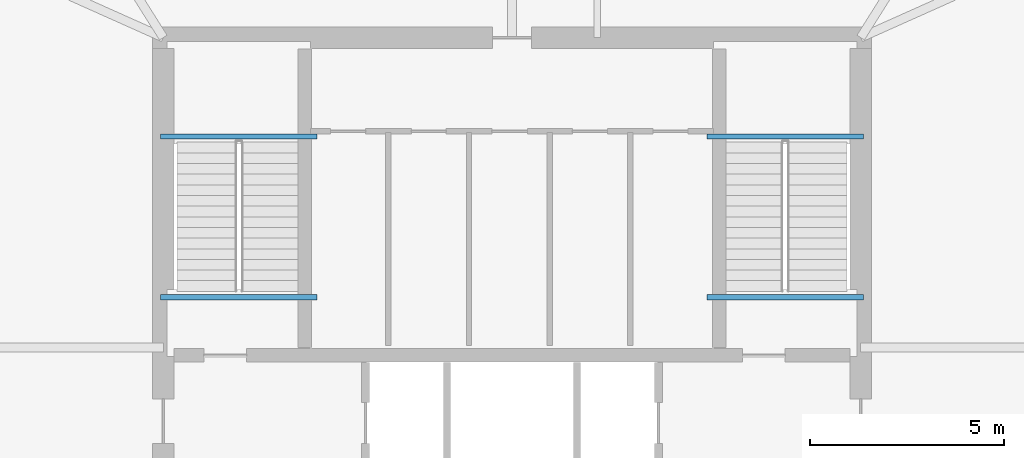
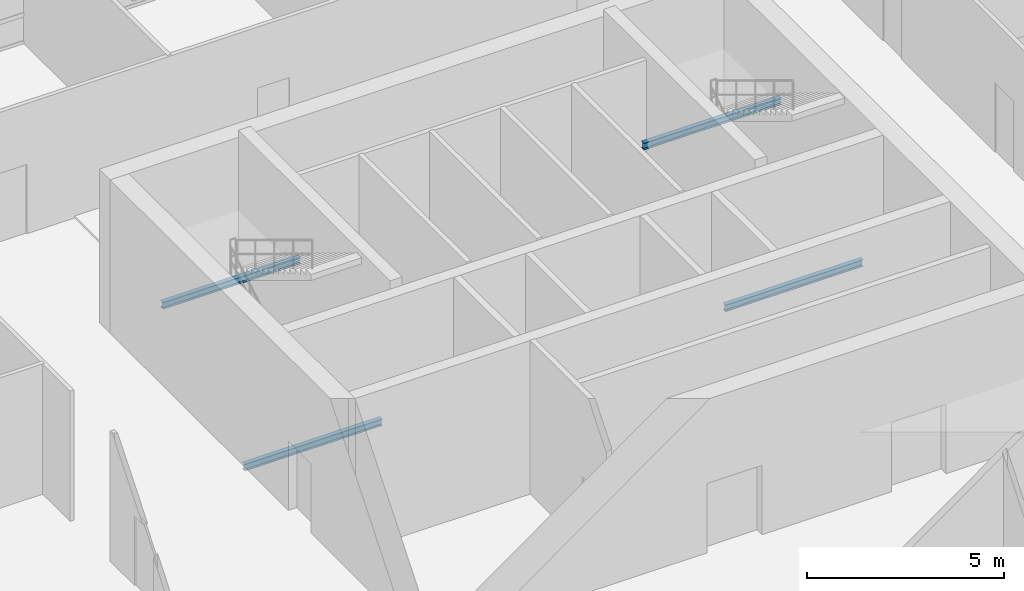
# One storey, part 13 of 34: 4 beams.
"""IFC4 building model written with IfcOpenShell, lengths in metres."""

import ifcopenshell
import ifcopenshell.guid

model = None  # the IFC model being written
_history = None  # IfcOwnerHistory: only IFC2X3 demands one
_inside = {}  # id of a spatial element -> (the spatial element, [elements in it])
_under = {}  # id of a project, library or spatial element -> (it, [spatial elements below it])
_declared = {}  # id of a project -> (the project, [libraries it declares])
_typed = {}  # id of a type object -> (the type object, [elements of that type])
_made_of = {}  # id of a material, layer set ... -> (it, [elements and type objects made of it])


def new_model(schema):
    """Start an empty IFC model of exactly this schema.

    Asked for "IFC4X3", IfcOpenShell would pick the latest addendum, in which some entities
    have other attributes; the version numbers below select the first issue.
    IFC2X3 requires an IfcOwnerHistory on every rooted entity: one is made here for all.
    """
    global model, _history
    if schema == "IFC4X3":
        model = ifcopenshell.file(schema_version=(4, 3, 0, 0))
    else:
        model = ifcopenshell.file(schema=schema)
    _inside.clear()
    _under.clear()
    _declared.clear()
    _typed.clear()
    _made_of.clear()
    _history = None
    if model.schema == "IFC2X3":
        org = make("IfcOrganization", Name="unknown")
        user = make(
            "IfcPersonAndOrganization",
            ThePerson=make("IfcPerson", FamilyName="unknown"),
            TheOrganization=org,
        )
        app = make(
            "IfcApplication",
            ApplicationDeveloper=org,
            Version="unknown",
            ApplicationFullName="unknown",
            ApplicationIdentifier="unknown",
        )
        _history = make(
            "IfcOwnerHistory",
            OwningUser=user,
            OwningApplication=app,
            ChangeAction="ADDED",
            CreationDate=0,
        )
    return model


def make(cls, **values):
    """One entity of the class cls with the attributes given. An attribute that is None is left unset."""
    return model.create_entity(
        cls, **{name: value for name, value in values.items() if value is not None}
    )


def rooted(cls, **values):
    """An entity with a GlobalId (a new one), such as an element, a storey or a relation."""
    return make(cls, GlobalId=ifcopenshell.guid.new(), OwnerHistory=_history, **values)


def si_unit(unit_type, name, prefix=None):
    """IfcSIUnit, for example si_unit("LENGTHUNIT", "METRE", prefix="MILLI")."""
    return make("IfcSIUnit", UnitType=unit_type, Prefix=prefix, Name=name)


def assignment(units):
    """IfcUnitAssignment: the units of a project."""
    return None if units is None else make("IfcUnitAssignment", Units=units)


def point(xyz):
    """IfcCartesianPoint."""
    return None if xyz is None else make("IfcCartesianPoint", Coordinates=xyz)


def direction(xyz):
    """IfcDirection."""
    return None if xyz is None else make("IfcDirection", DirectionRatios=xyz)


def frame(location, z_axis=None, x_axis=None):
    """IfcAxis2Placement3D, a coordinate frame: its origin and axes. An axis left out is left unset."""
    return make(
        "IfcAxis2Placement3D",
        Location=point(location),
        Axis=direction(z_axis),
        RefDirection=direction(x_axis),
    )


def frame_2d(location, x_axis=None):
    """IfcAxis2Placement2D, a coordinate frame in the plane: its origin and x axis."""
    return make(
        "IfcAxis2Placement2D", Location=point(location), RefDirection=direction(x_axis)
    )


def origin():
    """The frame at (0, 0, 0) with its axes left unset."""
    return frame((0.0, 0.0, 0.0))


def origin_2d():
    """The frame at (0, 0) in the plane with its x axis left unset."""
    return frame_2d((0.0, 0.0))


def place(relative_to, where):
    """IfcLocalPlacement: puts the frame where relative to a parent placement (None: the world)."""
    return make(
        "IfcLocalPlacement", PlacementRelTo=relative_to, RelativePlacement=where
    )


def context(
    kind, dimensions, precision=None, world=None, true_north=None, identifier=None
):
    """IfcGeometricRepresentationContext, for example the 3D "Model" context."""
    return make(
        "IfcGeometricRepresentationContext",
        ContextIdentifier=identifier,
        ContextType=kind,
        CoordinateSpaceDimension=dimensions,
        Precision=precision,
        WorldCoordinateSystem=world,
        TrueNorth=true_north,
    )


def subcontext(parent, identifier, kind, view, scale=None):
    """IfcGeometricRepresentationSubContext, for example "Body" below "Model"."""
    return make(
        "IfcGeometricRepresentationSubContext",
        ContextIdentifier=identifier,
        ContextType=kind,
        ParentContext=parent,
        TargetScale=scale,
        TargetView=view,
    )


def project(units=None, contexts=None):
    """IfcProject with its units and contexts."""
    return rooted(
        "IfcProject",
        Name="project",
        RepresentationContexts=contexts,
        UnitsInContext=assignment(units),
    )


def spatial(cls, under=None, at=None, **own):
    """A site, building, storey or space (cls), placed at a placement, below another one or the project."""
    s = rooted(cls, ObjectPlacement=at, **own)
    if under is not None:
        _under.setdefault(under.id(), (under, []))[1].append(s)
    return s


def profile(cls, at=None, kind="AREA", **sizes):
    """A parametric profile (cls). Its sizes go by their IFC names, for example OverallWidth=200.0."""
    return make(cls, ProfileType=kind, Position=at, **sizes)


def i_section(**sizes):
    """IfcIShapeProfileDef."""
    return profile("IfcIShapeProfileDef", **sizes)


def extrude(swept, where, along, depth):
    """IfcExtrudedAreaSolid: the profile swept, set in the frame where, extruded along a direction by depth."""
    return make(
        "IfcExtrudedAreaSolid",
        SweptArea=swept,
        Position=where,
        ExtrudedDirection=direction(along),
        Depth=depth,
    )


def shape(context_of_items, identifier, shape_type, items):
    """IfcShapeRepresentation: the items that make up one representation, for example the "Body"."""
    return make(
        "IfcShapeRepresentation",
        ContextOfItems=context_of_items,
        RepresentationIdentifier=identifier,
        RepresentationType=shape_type,
        Items=items,
    )


def material(Name=None, Category=None):
    """IfcMaterial."""
    return make("IfcMaterial", Name=Name, Category=Category)


def material_profile(
    of_material, cross_section, Name=None, Category=None, Priority=None
):
    """IfcMaterialProfile: a cross section and its material."""
    return make(
        "IfcMaterialProfile",
        Name=Name,
        Material=of_material,
        Profile=cross_section,
        Priority=Priority,
        Category=Category,
    )


def profile_set(profiles, Name=None, composite=None):
    """IfcMaterialProfileSet."""
    return make(
        "IfcMaterialProfileSet",
        Name=Name,
        MaterialProfiles=profiles,
        CompositeProfile=composite,
    )


def made_of(thing, what):
    """Note that an element or type object is made of a material, layer set ...; save() writes the relation."""
    if what is not None:
        _made_of.setdefault(what.id(), (what, []))[1].append(thing)
    return thing


def type_object(cls, material=None, **own):
    """A type object (cls), such as IfcWallType, which elements share."""
    return made_of(rooted(cls, **own), material)


def element(
    cls,
    number,
    at=None,
    inside=None,
    cuts=None,
    type_object=None,
    material=None,
    context=None,
    identifier="Body",
    shape_type=None,
    held_by="IfcProductDefinitionShape",
    body=None,
    shapes=None,
    **own,
):
    """One element of the class cls, such as IfcWall. Its Tag is "e" and its number.

    at: its placement. inside: the storey or other place that contains it. cuts: it is an
    opening in that element (IfcRelVoidsElement). A single representation is given by context,
    identifier, shape_type and body (its items); several are given by shapes. held_by: the class
    of the entity that holds the representations. save() writes the other relations.
    """
    e = rooted(cls, Tag="e%d" % number, ObjectPlacement=at, **own)
    if body is not None:
        shapes = [shape(context, identifier, shape_type, body)]
    if shapes is not None:
        e.Representation = make(held_by, Representations=shapes)
    if inside is not None:
        _inside.setdefault(inside.id(), (inside, []))[1].append(e)
    if cuts is not None:
        rooted(
            "IfcRelVoidsElement", RelatingBuildingElement=cuts, RelatedOpeningElement=e
        )
    if type_object is not None:
        _typed.setdefault(type_object.id(), (type_object, []))[1].append(e)
    return made_of(e, material)


def aggregate(whole, parts):
    """IfcRelAggregates: a whole, such as a stair, and the parts it consists of."""
    return rooted("IfcRelAggregates", RelatingObject=whole, RelatedObjects=parts)


def save(model, path):
    """Write the relations noted so far, then the file.

    IfcRelAggregates (storeys below a building ...), IfcRelContainedInSpatialStructure (elements
    in a storey), IfcRelDefinesByType, IfcRelAssociatesMaterial and IfcRelDeclares: one each for
    every whole, place, type object, material and project.
    """
    for whole, parts in _under.values():
        aggregate(whole, parts)
    for where, things in _inside.values():
        rooted(
            "IfcRelContainedInSpatialStructure",
            RelatedElements=things,
            RelatingStructure=where,
        )
    for kind, things in _typed.values():
        rooted("IfcRelDefinesByType", RelatedObjects=things, RelatingType=kind)
    for what, things in _made_of.values():
        rooted("IfcRelAssociatesMaterial", RelatedObjects=things, RelatingMaterial=what)
    for by, libraries in _declared.values():
        rooted("IfcRelDeclares", RelatingContext=by, RelatedDefinitions=libraries)
    model.write(path)


model = new_model("IFC4")

# Units and contexts
model_context = context("Model", 3, precision=1e-05, world=origin(), true_north=direction((0.0, 1.0)))
body_context = subcontext(model_context, "Body", "Model", "MODEL_VIEW")
ifc_project = project(units=[si_unit("LENGTHUNIT", "METRE"), si_unit("AREAUNIT", "SQUARE_METRE"), si_unit("VOLUMEUNIT", "CUBIC_METRE"), si_unit("PLANEANGLEUNIT", "RADIAN"), si_unit("MASSUNIT", "GRAM", prefix="KILO")], contexts=[model_context])

# Site, building, storey
site_placement = place(None, origin())
site = spatial("IfcSite", under=ifc_project, at=site_placement, CompositionType="ELEMENT")
building_placement = place(site_placement, origin())
building = spatial("IfcBuilding", under=site, at=building_placement, Name="Caelvoria Tower", CompositionType="ELEMENT")
storey_placement = place(building_placement, frame((0.0, 0.0, 172.0)))
storey = spatial("IfcBuildingStorey", under=building, at=storey_placement, Name="L45", CompositionType="ELEMENT", Elevation=172.0)

# Beams
ifc_material = material(Name="Structural Steel ASTM A992 Gr.50", Category="steel")
ifc_material_profile = material_profile(ifc_material, i_section(OverallWidth=0.134033203125, OverallDepth=0.2099609375, WebThickness=0.00634765625, FlangeThickness=0.01025390625, FilletRadius=0.010009765625, at=origin_2d()), Name="Structural Steel ASTM A992 Gr.50")
ifc_profile_set = profile_set([ifc_material_profile], Name="W200X31.3 - Structural Steel ASTM A992 Gr.50")
beam_type = type_object("IfcBeamType", Name="Canopy Edge Trim Beam W200X31.3", PredefinedType="BEAM", material=ifc_profile_set)
for number, where, z_axis, x_axis, name in (
    (1, (36.929931640625, 37.449951171875, 2.195068359375), (1.0, 0.0, 0.0), (0.0, 1.0, 0.0), "ST-01 Half-Landing Support Beam L45"),
    (2, (36.929931640625, 33.300048828125, -0.304931640625), (1.0, 0.0, 0.0), (0.0, 1.0, 0.0), "ST-01 Floor-Landing Support Beam L45"),
    (3, (51.030029296875, 37.449951171875, 2.195068359375), (1.0, 0.0, 0.0), (0.0, 1.0, 0.0), "ST-02 Half-Landing Support Beam L45"),
    (4, (51.030029296875, 33.300048828125, -0.304931640625), (1.0, 0.0, 0.0), (0.0, 1.0, 0.0), "ST-02 Floor-Landing Support Beam L45"),
):
    element("IfcBeam", number, at=place(storey_placement, frame(where, z_axis=z_axis, x_axis=x_axis)), inside=storey, type_object=beam_type, Name=name, PredefinedType="BEAM", context=body_context, shape_type="SweptSolid", body=[
        extrude(i_section(OverallWidth=0.134033203125, OverallDepth=0.2099609375, WebThickness=0.00634765625, FlangeThickness=0.01025390625, FilletRadius=0.010009765625, at=origin_2d()), origin(), (0.0, 0.0, 1.0), 4.0400390625),
    ])

save(model, "model.ifc")
